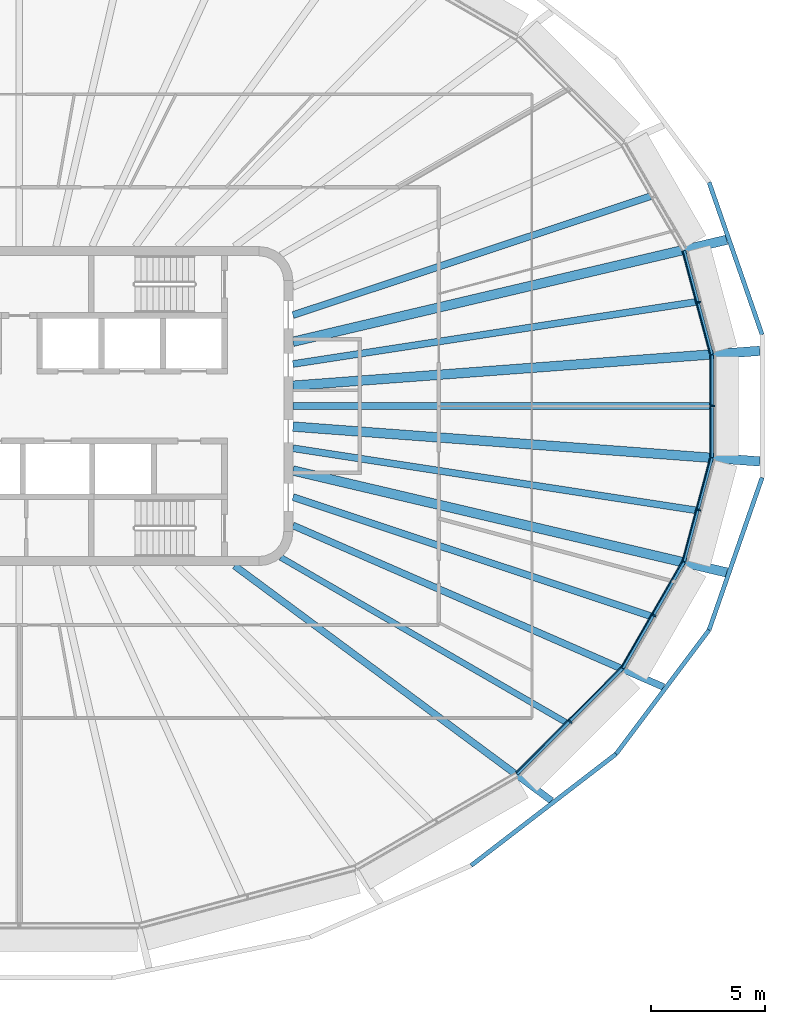
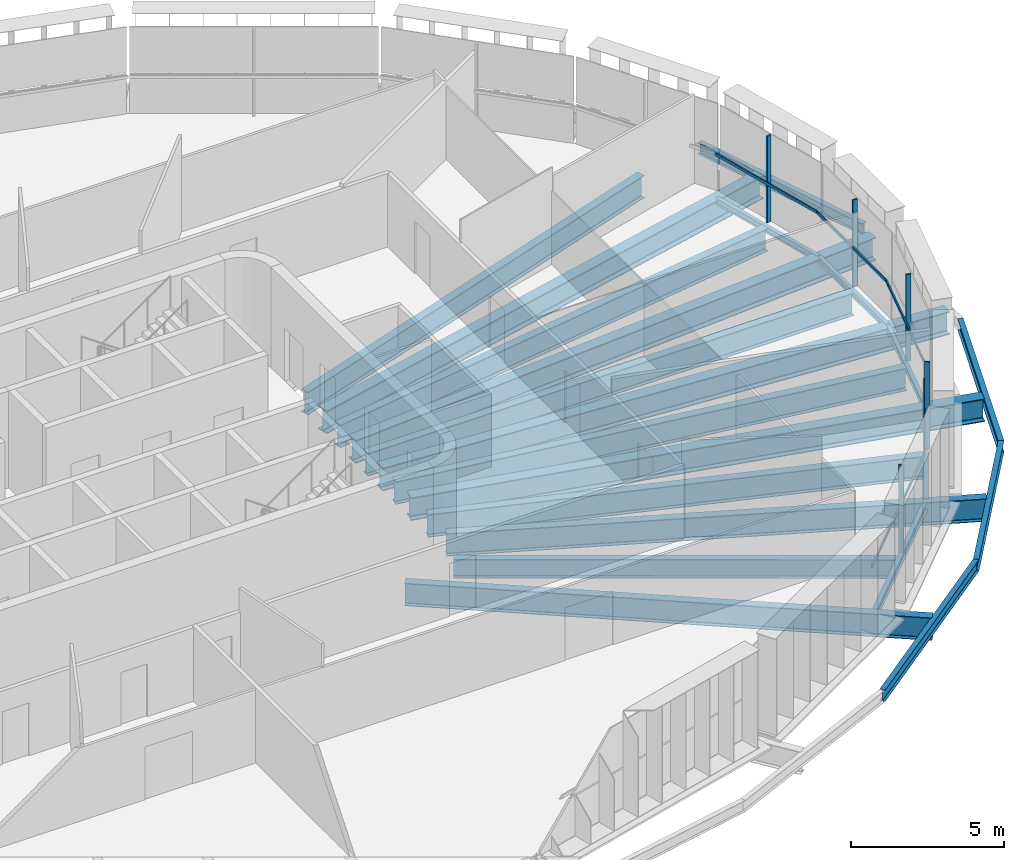
# One storey, part 4 of 20: 21 beams, 10 members, 5 elements without a shape of their own.
"""IFC4 building model written with IfcOpenShell, lengths in metres."""

from ifc_helpers import new_model, si_unit, direction, frame, origin, origin_2d, place, context, subcontext, project, spatial, rectangle, i_section, extrude, material, layer, layer_set, material_profile, profile_set, type_object, element, aggregate, save


model = new_model("IFC4")

# Units and contexts
model_context = context("Model", 3, precision=1e-05, world=origin(), true_north=direction((0.0, 1.0)))
body_context = subcontext(model_context, "Body", "Model", "MODEL_VIEW")
ifc_project = project(units=[si_unit("LENGTHUNIT", "METRE"), si_unit("AREAUNIT", "SQUARE_METRE"), si_unit("VOLUMEUNIT", "CUBIC_METRE"), si_unit("PLANEANGLEUNIT", "RADIAN"), si_unit("MASSUNIT", "GRAM", prefix="KILO")], contexts=[model_context])

# Site, building, storey
site_placement = place(None, origin())
site = spatial("IfcSite", under=ifc_project, at=site_placement, CompositionType="ELEMENT")
building_placement = place(site_placement, origin())
building = spatial("IfcBuilding", under=site, at=building_placement, Name="Sahrelin Media Tower", CompositionType="ELEMENT")
storey_placement = place(building_placement, frame((0.0, 0.0, 225.60009765625)))
storey = spatial("IfcBuildingStorey", under=building, at=storey_placement, Name="L48", CompositionType="ELEMENT", Elevation=225.60009765625)

# Beams
ifc_material_1 = material(Name="Steel S355", Category="steel")
ifc_material_profile_1 = material_profile(ifc_material_1, i_section(OverallWidth=0.14599609375, OverallDepth=0.25146484375, WebThickness=0.006103515625, FlangeThickness=0.008544921875, FilletRadius=0.007568359375, at=origin_2d()), Name="UB 254x146x31")
ifc_profile_set_1 = profile_set([ifc_material_profile_1], Name="Steel S355")
beam_type_1 = type_object("IfcBeamType", Name="Edge beam EB1", PredefinedType="BEAM", material=ifc_profile_set_1)
beam_1_placement = place(storey_placement, frame((30.36865234375, 2.24560546875, -0.27587890625), z_axis=(0.0, -1.0, 0.0), x_axis=(1.0, 0.0, 0.0)))
element("IfcBeam", 1, at=beam_1_placement, inside=storey, type_object=beam_type_1, Name="Edge beam L48-01", PredefinedType="BEAM", context=body_context, shape_type="SweptSolid", body=[
    extrude(i_section(OverallWidth=0.14599609375, OverallDepth=0.25146484375, WebThickness=0.006103515625, FlangeThickness=0.008544921875, FilletRadius=0.007568359375, at=origin_2d()), origin(), (0.0, 0.0, 1.0), 4.4912109375),
])
for number, where, z_axis, x_axis, name in (
    (2, (30.36474609375, -2.274169921875, -0.27587890625), (-0.258781089001, -0.965935995797, 0.0), (0.965935995797, -0.258781089001, 0.0), "Edge beam L48-02"),
    (3, (29.1484375, 6.814208984375, -0.27587890625), (0.258781089001, -0.965935995797, 0.0), (0.965935995797, 0.258781089001, 0.0), "Edge beam L48-20"),
):
    element("IfcBeam", number, at=place(storey_placement, frame(where, z_axis=z_axis, x_axis=x_axis)), inside=storey, type_object=beam_type_1, Name=name, PredefinedType="BEAM", context=body_context, shape_type="SweptSolid", body=[
        extrude(i_section(OverallWidth=0.14599609375, OverallDepth=0.25146484375, WebThickness=0.006103515625, FlangeThickness=0.008544921875, FilletRadius=0.007568359375, at=origin_2d()), origin(), (0.0, 0.0, 1.0), 4.7001953125),
    ])
ifc_material_profile_2 = material_profile(ifc_material_1, i_section(OverallWidth=0.1650390625, OverallDepth=0.303466796875, WebThickness=0.006103515625, FlangeThickness=0.01025390625, FilletRadius=0.0087890625, at=origin_2d()), Name="UB 305x165x40")
ifc_profile_set_2 = profile_set([ifc_material_profile_2], Name="Steel S355")
beam_type_2 = type_object("IfcBeamType", Name="Edge beam EB2", PredefinedType="BEAM", material=ifc_profile_set_2)
beam_2_placement = place(storey_placement, frame((29.137451171875, -6.8408203125, -0.3017578125), z_axis=(-0.500015657045, -0.866016363997, 0.0), x_axis=(0.866016363997, -0.500015657045, 0.0)))
element("IfcBeam", 4, at=beam_2_placement, inside=storey, type_object=beam_type_2, Name="Edge beam L48-03", PredefinedType="BEAM", context=body_context, shape_type="SweptSolid", body=[
    extrude(i_section(OverallWidth=0.1650390625, OverallDepth=0.303466796875, WebThickness=0.006103515625, FlangeThickness=0.01025390625, FilletRadius=0.0087890625, at=origin_2d()), origin(), (0.0, 0.0, 1.0), 5.357666015625),
])
ifc_material_profile_3 = material_profile(ifc_material_1, i_section(OverallWidth=0.17138671875, OverallDepth=0.35498046875, WebThickness=0.00732421875, FlangeThickness=0.011474609375, FilletRadius=0.01025390625, at=origin_2d()), Name="UB 356x171x51")
ifc_profile_set_3 = profile_set([ifc_material_profile_3], Name="Steel S355")
beam_type_3 = type_object("IfcBeamType", Name="Edge beam EB3", PredefinedType="BEAM", material=ifc_profile_set_3)
beam_3_placement = place(storey_placement, frame((26.44091796875, -11.50341796875, -0.32763671875), z_axis=(-0.707088068965, -0.707125492913, 0.0), x_axis=(0.707125492913, -0.707088068965, 0.0)))
element("IfcBeam", 5, at=beam_3_placement, inside=storey, type_object=beam_type_3, Name="Edge beam L48-04", PredefinedType="BEAM", context=body_context, shape_type="SweptSolid", body=[
    extrude(i_section(OverallWidth=0.17138671875, OverallDepth=0.35498046875, WebThickness=0.00732421875, FlangeThickness=0.011474609375, FilletRadius=0.01025390625, at=origin_2d()), origin(), (0.0, 0.0, 1.0), 6.523681640625),
])

# Curtain wall, member
ifc_material_2 = material(Name="Champagne anodised aluminium 6063-T6", Category="aluminium")
ifc_layer = layer(ifc_material_2, 0.14990234375)
ifc_layer_set = layer_set([ifc_layer], Name="Tower ribbon curtain wall")
curtain_wall_type = type_object("IfcCurtainWallType", Name="Tower ribbon curtain wall", PredefinedType="NOTDEFINED", material=ifc_layer_set)
curtain_wall_1_placement = place(storey_placement, frame((30.5185546875, 0.0, 0.0), z_axis=(0.0, 0.0, 1.0), x_axis=(1.0, 0.0, 0.0)))
curtain_wall_1 = element("IfcCurtainWall", 6, at=curtain_wall_1_placement, inside=storey, type_object=curtain_wall_type, Name="L48:CW:L48-00", PredefinedType="NOTDEFINED")
ifc_material_profile_4 = material_profile(ifc_material_2, rectangle(XDim=0.06005859375, YDim=0.175048828125, at=origin_2d()), Name="Mullion 60x175")
ifc_profile_set_4 = profile_set([ifc_material_profile_4], Name="Champagne anodised aluminium 6063-T6")
member_type_1 = type_object("IfcMemberType", Name="Mullion 60x175 CW1B", PredefinedType="MULLION", material=ifc_profile_set_4)
member_1_placement = place(storey_placement, frame((30.4111328125, 0.0, 0.0), z_axis=(0.0, 0.0, 1.0), x_axis=(0.0, 1.0, 0.0)))
member_1 = element("IfcMember", 7, at=member_1_placement, type_object=member_type_1, Name="L48:CWM:L48-00", PredefinedType="MULLION", context=body_context, shape_type="SweptSolid", body=[
    extrude(rectangle(XDim=0.06005859375, YDim=0.175048828125, at=origin_2d()), origin(), (0.0, 0.0, 1.0), 3.448486328125),
])

curtain_wall_2_placement = place(storey_placement, frame((29.901611328125, 4.5830078125, 0.0), z_axis=(0.0, 0.0, 1.0), x_axis=(1.0, 0.0, 0.0)))
curtain_wall_2 = element("IfcCurtainWall", 8, at=curtain_wall_2_placement, inside=storey, type_object=curtain_wall_type, Name="L48:CW:L48-01", PredefinedType="NOTDEFINED")
member_2_placement = place(storey_placement, frame((29.797607421875, 4.55517578125, 0.0), z_axis=(0.0, 0.0, 1.0), x_axis=(-0.258813987523, 0.965927181449, 0.0)))
member_2 = element("IfcMember", 9, at=member_2_placement, type_object=member_type_1, Name="L48:CWM:L48-01", PredefinedType="MULLION", context=body_context, shape_type="SweptSolid", body=[
    extrude(rectangle(XDim=0.06005859375, YDim=0.175048828125, at=origin_2d()), origin(), (0.0, 0.0, 1.0), 3.448486328125),
])

curtain_wall_3_placement = place(storey_placement, frame((24.240478515625, -13.916015625, 0.0), z_axis=(0.0, 0.0, 1.0), x_axis=(1.0, 0.0, 0.0)))
curtain_wall_3 = element("IfcCurtainWall", 10, at=curtain_wall_3_placement, inside=storey, type_object=curtain_wall_type, Name="L48:CW:L48-21", PredefinedType="NOTDEFINED")
member_3_placement = place(storey_placement, frame((24.16455078125, -13.840087890625, 0.0), z_axis=(0.0, 0.0, 1.0), x_axis=(0.707106781187, 0.707106781187, 0.0)))
member_3 = element("IfcMember", 11, at=member_3_placement, type_object=member_type_1, Name="L48:CWM:L48-21", PredefinedType="MULLION", context=body_context, shape_type="SweptSolid", body=[
    extrude(rectangle(XDim=0.06005859375, YDim=0.175048828125, at=origin_2d()), origin(), (0.0, 0.0, 1.0), 3.448486328125),
])

curtain_wall_4_placement = place(storey_placement, frame((27.927734375, -9.235595703125, 0.0), z_axis=(0.0, 0.0, 1.0), x_axis=(1.0, 0.0, 0.0)))
curtain_wall_4 = element("IfcCurtainWall", 12, at=curtain_wall_4_placement, inside=storey, type_object=curtain_wall_type, Name="L48:CW:L48-22", PredefinedType="NOTDEFINED")
member_4_placement = place(storey_placement, frame((27.834716796875, -9.181884765625, 0.0), z_axis=(0.0, 0.0, 1.0), x_axis=(0.500001511499, 0.866024531118, 0.0)))
member_4 = element("IfcMember", 13, at=member_4_placement, type_object=member_type_1, Name="L48:CWM:L48-22", PredefinedType="MULLION", context=body_context, shape_type="SweptSolid", body=[
    extrude(rectangle(XDim=0.06005859375, YDim=0.175048828125, at=origin_2d()), origin(), (0.0, 0.0, 1.0), 3.448486328125),
])

curtain_wall_5_placement = place(storey_placement, frame((29.901611328125, -4.5830078125, 0.0), z_axis=(0.0, 0.0, 1.0), x_axis=(1.0, 0.0, 0.0)))
curtain_wall_5 = element("IfcCurtainWall", 14, at=curtain_wall_5_placement, inside=storey, type_object=curtain_wall_type, Name="L48:CW:L48-23", PredefinedType="NOTDEFINED")
member_5_placement = place(storey_placement, frame((29.797607421875, -4.55517578125, 0.0), z_axis=(0.0, 0.0, 1.0), x_axis=(0.258813987523, 0.965927181449, 0.0)))
member_5 = element("IfcMember", 15, at=member_5_placement, type_object=member_type_1, Name="L48:CWM:L48-23", PredefinedType="MULLION", context=body_context, shape_type="SweptSolid", body=[
    extrude(rectangle(XDim=0.06005859375, YDim=0.175048828125, at=origin_2d()), origin(), (0.0, 0.0, 1.0), 3.448486328125),
])

# Beams
ifc_material_profile_5 = material_profile(ifc_material_1, i_section(OverallWidth=0.30322265625, OverallDepth=0.903076171875, WebThickness=0.01513671875, FlangeThickness=0.020263671875, FilletRadius=0.01904296875, at=origin_2d()), Name="UB 914x305x201")
ifc_profile_set_5 = profile_set([ifc_material_profile_5], Name="Steel S355")
beam_type_4 = type_object("IfcBeamType", Name="Radial primary beam PB11", PredefinedType="BEAM", material=ifc_profile_set_5)
beam_4_placement = place(storey_placement, frame((9.43994140625, -7.0, -0.6015625), z_axis=(0.803256504136, -0.595633266838, 0.0), x_axis=(0.595633266838, 0.803256504136, 0.0)))
element("IfcBeam", 16, at=beam_4_placement, inside=storey, type_object=beam_type_4, Name="Radial beam L48-21", PredefinedType="BEAM", context=body_context, shape_type="SweptSolid", body=[
    extrude(i_section(OverallWidth=0.30322265625, OverallDepth=0.903076171875, WebThickness=0.01513671875, FlangeThickness=0.020263671875, FilletRadius=0.01904296875, at=origin_2d()), origin(), (0.0, 0.0, 1.0), 17.30908203125),
])
beam_5_placement = place(storey_placement, frame((12.0, -5.232177734375, -0.6015625), z_axis=(0.916661563544, -0.399664331559, 0.0), x_axis=(0.399664331559, 0.916661563544, 0.0)))
element("IfcBeam", 17, at=beam_5_placement, inside=storey, type_object=beam_type_4, Name="Radial beam L48-22", PredefinedType="BEAM", context=body_context, shape_type="SweptSolid", body=[
    extrude(i_section(OverallWidth=0.30322265625, OverallDepth=0.903076171875, WebThickness=0.01513671875, FlangeThickness=0.020263671875, FilletRadius=0.01904296875, at=origin_2d()), origin(), (0.0, 0.0, 1.0), 17.732177734375),
])
ifc_material_profile_6 = material_profile(ifc_material_1, i_section(OverallWidth=0.41845703125, OverallDepth=0.911865234375, WebThickness=0.019287109375, FlangeThickness=0.031982421875, FilletRadius=0.024169921875, at=origin_2d()), Name="UB 914x419x343")
ifc_profile_set_6 = profile_set([ifc_material_profile_6], Name="Steel S355")
beam_type_5 = type_object("IfcBeamType", Name="Radial primary beam PB12", PredefinedType="BEAM", material=ifc_profile_set_6)
beam_6_placement = place(storey_placement, frame((12.0, 0.896484375, -0.60595703125), z_axis=(0.997220813372, 0.074502680337, 0.0), x_axis=(-0.074502680337, 0.997220813372, 0.0)))
element("IfcBeam", 18, at=beam_6_placement, inside=storey, type_object=beam_type_5, Name="Radial beam L48-01", PredefinedType="BEAM", context=body_context, shape_type="SweptSolid", body=[
    extrude(i_section(OverallWidth=0.41845703125, OverallDepth=0.911865234375, WebThickness=0.019287109375, FlangeThickness=0.031982421875, FilletRadius=0.024169921875, at=origin_2d()), origin(), (0.0, 0.0, 1.0), 20.53662109375),
])
for number, where, z_axis, x_axis, name in (
    (19, (12.0, 2.82177734375, -0.60595703125), (0.97344844938, 0.228906348534, 0.0), (-0.228906348534, 0.97344844938, 0.0), "Radial beam L48-02"),
    (20, (12.0, -2.82177734375, -0.60595703125), (0.97344844938, -0.228906348534, 0.0), (0.228906348534, 0.97344844938, 0.0), "Radial beam L48-23"),
):
    element("IfcBeam", number, at=place(storey_placement, frame(where, z_axis=z_axis, x_axis=x_axis)), inside=storey, type_object=beam_type_5, Name=name, PredefinedType="BEAM", context=body_context, shape_type="SweptSolid", body=[
        extrude(i_section(OverallWidth=0.41845703125, OverallDepth=0.911865234375, WebThickness=0.019287109375, FlangeThickness=0.031982421875, FilletRadius=0.024169921875, at=origin_2d()), origin(), (0.0, 0.0, 1.0), 19.544677734375),
    ])
beam_7_placement = place(storey_placement, frame((12.0, -0.896484375, -0.60595703125), z_axis=(0.997220813372, -0.074502680337, 0.0), x_axis=(0.074502680337, 0.997220813372, 0.0)))
element("IfcBeam", 21, at=beam_7_placement, inside=storey, type_object=beam_type_5, Name="Radial beam L48-24", PredefinedType="BEAM", context=body_context, shape_type="SweptSolid", body=[
    extrude(i_section(OverallWidth=0.41845703125, OverallDepth=0.911865234375, WebThickness=0.019287109375, FlangeThickness=0.031982421875, FilletRadius=0.024169921875, at=origin_2d()), origin(), (0.0, 0.0, 1.0), 20.53662109375),
])
ifc_material_profile_7 = material_profile(ifc_material_1, i_section(OverallWidth=0.30322265625, OverallDepth=0.903076171875, WebThickness=0.01513671875, FlangeThickness=0.020263671875, FilletRadius=0.01904296875, at=origin_2d()), Name="UB 914x305x201")
ifc_profile_set_7 = profile_set([ifc_material_profile_7], Name="Steel S355")
beam_type_6 = type_object("IfcBeamType", Name="Radial secondary beam SB11", PredefinedType="BEAM", material=ifc_profile_set_7)
beam_8_placement = place(storey_placement, frame((12.0, 1.847412109375, -0.6015625), z_axis=(0.988354329731, 0.152170032864, 0.0), x_axis=(-0.152170032864, 0.988354329731, 0.0)))
element("IfcBeam", 22, at=beam_8_placement, inside=storey, type_object=beam_type_6, Name="Secondary beam L48-01", PredefinedType="BEAM", context=body_context, shape_type="SweptSolid", body=[
    extrude(i_section(OverallWidth=0.30322265625, OverallDepth=0.903076171875, WebThickness=0.01513671875, FlangeThickness=0.020263671875, FilletRadius=0.01904296875, at=origin_2d()), origin(), (0.0, 0.0, 1.0), 17.882568359375),
])
for number, where, z_axis, x_axis, name in (
    (23, (12.0, 3.99072265625, -0.6015625), (0.948904719924, 0.315562723569, 0.0), (-0.315562723569, 0.948904719924, 0.0), "Secondary beam L48-02"),
    (24, (12.0, -3.99072265625, -0.6015625), (0.948904719924, -0.315562723569, 0.0), (0.315562723569, 0.948904719924, 0.0), "Secondary beam L48-18"),
):
    element("IfcBeam", number, at=place(storey_placement, frame(where, z_axis=z_axis, x_axis=x_axis)), inside=storey, type_object=beam_type_6, Name=name, PredefinedType="BEAM", context=body_context, shape_type="SweptSolid", body=[
        extrude(i_section(OverallWidth=0.30322265625, OverallDepth=0.903076171875, WebThickness=0.01513671875, FlangeThickness=0.020263671875, FilletRadius=0.01904296875, at=origin_2d()), origin(), (0.0, 0.0, 1.0), 16.521728515625),
    ])
beam_9_placement = place(storey_placement, frame((12.0, -1.847412109375, -0.6015625), z_axis=(0.988354329731, -0.152170032864, 0.0), x_axis=(0.152170032864, 0.988354329731, 0.0)))
element("IfcBeam", 25, at=beam_9_placement, inside=storey, type_object=beam_type_6, Name="Secondary beam L48-19", PredefinedType="BEAM", context=body_context, shape_type="SweptSolid", body=[
    extrude(i_section(OverallWidth=0.30322265625, OverallDepth=0.903076171875, WebThickness=0.01513671875, FlangeThickness=0.020263671875, FilletRadius=0.01904296875, at=origin_2d()), origin(), (0.0, 0.0, 1.0), 17.882568359375),
])
beam_10_placement = place(storey_placement, frame((12.0, 0.0, -0.6015625), z_axis=(1.0, 0.0, 0.0), x_axis=(0.0, 1.0, 0.0)))
element("IfcBeam", 26, at=beam_10_placement, inside=storey, type_object=beam_type_6, Name="Secondary beam L48-20", PredefinedType="BEAM", context=body_context, shape_type="SweptSolid", body=[
    extrude(i_section(OverallWidth=0.30322265625, OverallDepth=0.903076171875, WebThickness=0.01513671875, FlangeThickness=0.020263671875, FilletRadius=0.01904296875, at=origin_2d()), origin(), (0.0, 0.0, 1.0), 18.295654296875),
])
ifc_material_profile_8 = material_profile(ifc_material_1, i_section(OverallWidth=0.26513671875, OverallDepth=0.75390625, WebThickness=0.0126953125, FlangeThickness=0.017578125, FilletRadius=0.0166015625, at=origin_2d()), Name="UB 762x267x147")
ifc_profile_set_8 = profile_set([ifc_material_profile_8], Name="Steel S355")
beam_type_7 = type_object("IfcBeamType", Name="Radial secondary beam SB9", PredefinedType="BEAM", material=ifc_profile_set_8)
beam_11_placement = place(storey_placement, frame((11.464599609375, -6.634521484375, -0.527099609375), z_axis=(0.865518905794, -0.500876255889, 0.0), x_axis=(0.500876255889, 0.865518905794, 0.0)))
element("IfcBeam", 27, at=beam_11_placement, inside=storey, type_object=beam_type_7, Name="Secondary beam L48-17", PredefinedType="BEAM", context=body_context, shape_type="SweptSolid", body=[
    extrude(i_section(OverallWidth=0.26513671875, OverallDepth=0.75390625, WebThickness=0.0126953125, FlangeThickness=0.017578125, FilletRadius=0.0166015625, at=origin_2d()), origin(), (0.0, 0.0, 1.0), 14.43505859375),
])
ifc_material_profile_9 = material_profile(ifc_material_1, i_section(OverallWidth=0.1904296875, OverallDepth=0.45703125, WebThickness=0.009033203125, FlangeThickness=0.014404296875, FilletRadius=0.01025390625, at=origin_2d()), Name="UB 457x191x74")
ifc_profile_set_9 = profile_set([ifc_material_profile_9], Name="Steel S355")
beam_type_8 = type_object("IfcBeamType", Name="Tie chord TC5", PredefinedType="BEAM", material=ifc_profile_set_9)
beam_12_placement = place(storey_placement, frame((32.57470703125, 3.1357421875, -0.378662109375), z_axis=(-0.328792168394, 0.944402303048, 0.0), x_axis=(-0.944402303048, -0.328792168394, 0.0)))
element("IfcBeam", 28, at=beam_12_placement, inside=storey, type_object=beam_type_8, Name="Tie chord L48-01", PredefinedType="BEAM", context=body_context, shape_type="SweptSolid", body=[
    extrude(i_section(OverallWidth=0.1904296875, OverallDepth=0.45703125, WebThickness=0.009033203125, FlangeThickness=0.014404296875, FilletRadius=0.01025390625, at=origin_2d()), origin(), (0.0, 0.0, 1.0), 7.07861328125),
])
beam_13_placement = place(storey_placement, frame((19.8154296875, -20.1455078125, -0.378662109375), z_axis=(0.792463332497, 0.609919557523, 0.0), x_axis=(-0.609919557523, 0.792463332497, 0.0)))
element("IfcBeam", 29, at=beam_13_placement, inside=storey, type_object=beam_type_8, Name="Tie chord L48-21", PredefinedType="BEAM", context=body_context, shape_type="SweptSolid", body=[
    extrude(i_section(OverallWidth=0.1904296875, OverallDepth=0.45703125, WebThickness=0.009033203125, FlangeThickness=0.014404296875, FilletRadius=0.01025390625, at=origin_2d()), origin(), (0.0, 0.0, 1.0), 8.023193359375),
])
beam_14_placement = place(storey_placement, frame((26.173583984375, -15.251953125, -0.378662109375), z_axis=(0.600034521384, 0.799974107798, 0.0), x_axis=(-0.799974107798, 0.600034521384, 0.0)))
element("IfcBeam", 30, at=beam_14_placement, inside=storey, type_object=beam_type_8, Name="Tie chord L48-22", PredefinedType="BEAM", context=body_context, shape_type="SweptSolid", body=[
    extrude(i_section(OverallWidth=0.1904296875, OverallDepth=0.45703125, WebThickness=0.009033203125, FlangeThickness=0.014404296875, FilletRadius=0.01025390625, at=origin_2d()), origin(), (0.0, 0.0, 1.0), 6.7890625),
])
beam_15_placement = place(storey_placement, frame((30.247314453125, -9.82080078125, -0.378662109375), z_axis=(0.328792168394, 0.944402303048, 0.0), x_axis=(-0.944402303048, 0.328792168394, 0.0)))
element("IfcBeam", 31, at=beam_15_placement, inside=storey, type_object=beam_type_8, Name="Tie chord L48-23", PredefinedType="BEAM", context=body_context, shape_type="SweptSolid", body=[
    extrude(i_section(OverallWidth=0.1904296875, OverallDepth=0.45703125, WebThickness=0.009033203125, FlangeThickness=0.014404296875, FilletRadius=0.01025390625, at=origin_2d()), origin(), (0.0, 0.0, 1.0), 7.07861328125),
])

# Member
ifc_material_profile_10 = material_profile(ifc_material_2, rectangle(XDim=0.050048828125, YDim=0.110107421875, at=origin_2d()), Name="Transom 50x110")
ifc_profile_set_10 = profile_set([ifc_material_profile_10], Name="Champagne anodised aluminium 6063-T6")
member_type_2 = type_object("IfcMemberType", Name="Transom 50x110 CW1B", PredefinedType="USERDEFINED", material=ifc_profile_set_10)
member_6_placement = place(storey_placement, frame((30.298583984375, -2.22998046875, 1.599853515625), z_axis=(0.0, 1.0, 0.0), x_axis=(-1.0, 0.0, 0.0)))
member_6 = element("IfcMember", 32, at=member_6_placement, type_object=member_type_2, Name="L48:CWT:L48-00", ObjectType="TRANSOM", PredefinedType="USERDEFINED", context=body_context, shape_type="SweptSolid", body=[
    extrude(rectangle(XDim=0.050048828125, YDim=0.110107421875, at=origin_2d()), origin(), (0.0, 0.0, 1.0), 4.4599609375),
])

aggregate(curtain_wall_1, [member_1, member_6])

member_7_placement = place(storey_placement, frame((30.293212890625, 2.271240234375, 1.599853515625), z_axis=(-0.258840634667, 0.965920041124, 0.0), x_axis=(-0.965920041124, -0.258840634667, 0.0)))
member_7 = element("IfcMember", 33, at=member_7_placement, type_object=member_type_2, Name="L48:CWT:L48-01", ObjectType="TRANSOM", PredefinedType="USERDEFINED", context=body_context, shape_type="SweptSolid", body=[
    extrude(rectangle(XDim=0.050048828125, YDim=0.110107421875, at=origin_2d()), origin(), (0.0, 0.0, 1.0), 4.6689453125),
])

aggregate(curtain_wall_2, [member_2, member_7])

member_8_placement = place(storey_placement, frame((21.789794921875, -16.055908203125, 1.599853515625), z_axis=(0.707087978406, 0.707125583467, 0.0), x_axis=(-0.707125583467, 0.707087978406, 0.0)))
member_8 = element("IfcMember", 34, at=member_8_placement, type_object=member_type_2, Name="L48:CWT:L48-21", ObjectType="TRANSOM", PredefinedType="USERDEFINED", context=body_context, shape_type="SweptSolid", body=[
    extrude(rectangle(XDim=0.050048828125, YDim=0.110107421875, at=origin_2d()), origin(), (0.0, 0.0, 1.0), 6.4921875),
])

aggregate(curtain_wall_3, [member_3, member_8])

member_9_placement = place(storey_placement, frame((26.40576171875, -11.431884765625, 1.599853515625), z_axis=(0.500004172341, 0.866022994869, 0.0), x_axis=(-0.866022994869, 0.500004172341, 0.0)))
member_9 = element("IfcMember", 35, at=member_9_placement, type_object=member_type_2, Name="L48:CWT:L48-22", ObjectType="TRANSOM", PredefinedType="USERDEFINED", context=body_context, shape_type="SweptSolid", body=[
    extrude(rectangle(XDim=0.050048828125, YDim=0.110107421875, at=origin_2d()), origin(), (0.0, 0.0, 1.0), 5.326171875),
])

aggregate(curtain_wall_4, [member_4, member_9])

member_10_placement = place(storey_placement, frame((29.084716796875, -6.781005859375, 1.599853515625), z_axis=(0.258840634667, 0.965920041124, 0.0), x_axis=(-0.965920041124, 0.258840634667, 0.0)))
member_10 = element("IfcMember", 36, at=member_10_placement, type_object=member_type_2, Name="L48:CWT:L48-23", ObjectType="TRANSOM", PredefinedType="USERDEFINED", context=body_context, shape_type="SweptSolid", body=[
    extrude(rectangle(XDim=0.050048828125, YDim=0.110107421875, at=origin_2d()), origin(), (0.0, 0.0, 1.0), 4.6689453125),
])

aggregate(curtain_wall_5, [member_5, member_10])

save(model, "model.ifc")
